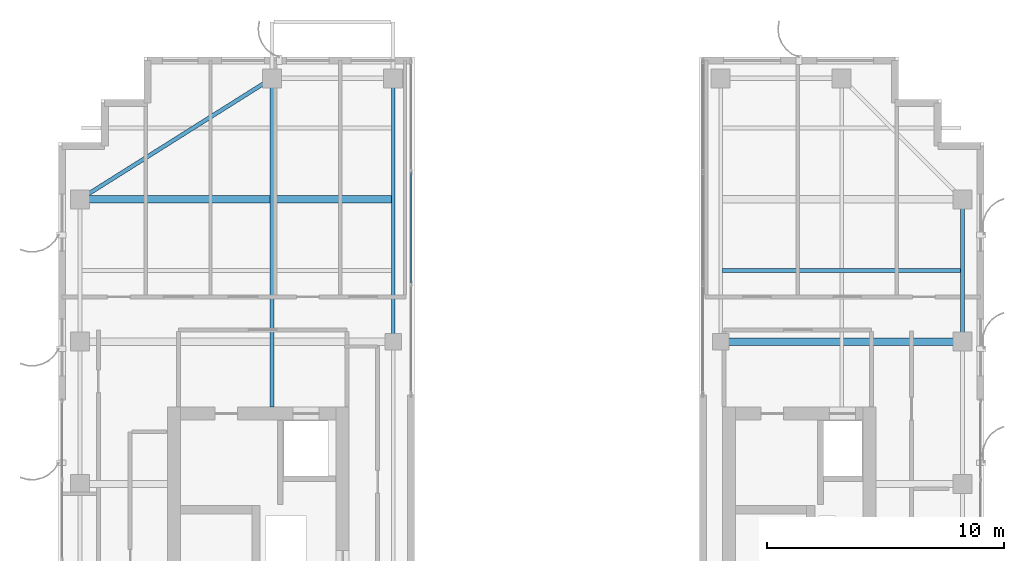
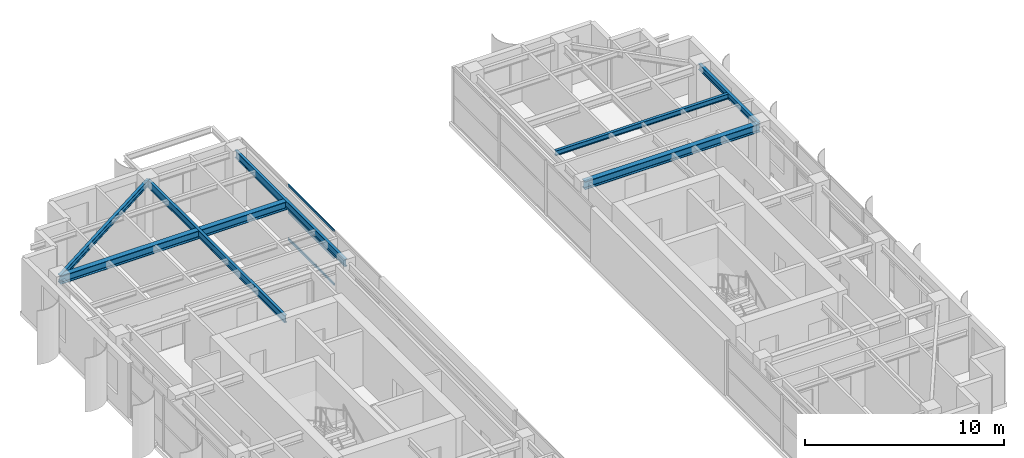
# One storey, part 13 of 22: 7 beams, 3 members, 1 element without a shape of its own.
"""IFC4 building model written with IfcOpenShell, lengths in metres."""

from ifc_helpers import new_model, si_unit, direction, frame, origin, origin_2d, place, context, subcontext, project, spatial, hollow_rectangle, i_section, extrude, source, transform, mapped, material, layer, layer_set, material_profile, profile_set, type_object, element, aggregate, save


model = new_model("IFC4")

# Units and contexts
model_context = context("Model", 3, precision=1e-05, world=origin(), true_north=direction((0.0, 1.0)))
body_context = subcontext(model_context, "Body", "Model", "MODEL_VIEW")
ifc_project = project(units=[si_unit("LENGTHUNIT", "METRE"), si_unit("AREAUNIT", "SQUARE_METRE"), si_unit("VOLUMEUNIT", "CUBIC_METRE"), si_unit("PLANEANGLEUNIT", "RADIAN"), si_unit("MASSUNIT", "GRAM", prefix="KILO")], contexts=[model_context])

# Site, building, storey
site_placement = place(None, origin())
site = spatial("IfcSite", under=ifc_project, at=site_placement, CompositionType="ELEMENT")
building_placement = place(site_placement, origin())
building = spatial("IfcBuilding", under=site, at=building_placement, Name="Khoralis Quay Care Tower", CompositionType="ELEMENT")
storey_placement = place(building_placement, frame((0.0, 0.0, 242.10009765625)))
storey = spatial("IfcBuildingStorey", under=building, at=storey_placement, Name="L63", CompositionType="ELEMENT", Elevation=242.10009765625)

# Beams
ifc_material_1 = material(Name="Steel S355", Category="steel")
ifc_material_profile_1 = material_profile(ifc_material_1, i_section(OverallWidth=0.169921875, OverallDepth=0.360107421875, WebThickness=0.008056640625, FlangeThickness=0.0126953125, FilletRadius=0.01806640625, at=origin_2d()), Name="Steel S355")
ifc_profile_set_1 = profile_set([ifc_material_profile_1], Name="Steel S355")
beam_type_1 = type_object("IfcBeamType", Name="BM-IPE360", PredefinedType="SPANDREL", material=ifc_profile_set_1)
shared_shape_1 = source(origin(), body_context, "Body", "SweptSolid", [
    extrude(i_section(OverallWidth=0.169921875, OverallDepth=0.360107421875, WebThickness=0.008056640625, FlangeThickness=0.0126953125, FilletRadius=0.01806640625, at=origin_2d()), origin(), (0.0, 0.0, 1.0), 6.0),
])
beam_1_placement = place(storey_placement, frame((41.10009765625, 30.0, 3.179931640625), z_axis=(0.0, 1.0, 0.0), x_axis=(-1.0, 0.0, 0.0)))
element("IfcBeam", 1, at=beam_1_placement, inside=storey, type_object=beam_type_1, Name="BM-TSP-L63-12", PredefinedType="SPANDREL", context=body_context, shape_type="MappedRepresentation", body=[
    mapped(shared_shape_1, transform((0.0, 0.0, 0.0), scale=1.0)),
])
shared_shape_2 = source(origin(), body_context, "Body", "SweptSolid", [
    extrude(i_section(OverallWidth=0.169921875, OverallDepth=0.360107421875, WebThickness=0.008056640625, FlangeThickness=0.0126953125, FilletRadius=0.01806640625, at=origin_2d()), origin(), (0.0, 0.0, 1.0), 9.572021484375),
])
beam_2_placement = place(storey_placement, frame((12.0, 41.10009765625, 3.179931640625), z_axis=(-0.846231136359, -0.532815975602, 0.0), x_axis=(0.532815975602, -0.846231136359, 0.0)))
element("IfcBeam", 2, at=beam_2_placement, inside=storey, type_object=beam_type_1, Name="BM-TCR-L63-15", PredefinedType="SPANDREL", context=body_context, shape_type="MappedRepresentation", body=[
    mapped(shared_shape_2, transform((0.0, 0.0, 0.0), scale=1.0)),
])
ifc_material_profile_2 = material_profile(ifc_material_1, i_section(OverallWidth=0.300048828125, OverallDepth=0.5, WebThickness=0.014404296875, FlangeThickness=0.028076171875, FilletRadius=0.027099609375, at=origin_2d()), Name="Steel S355")
ifc_profile_set_2 = profile_set([ifc_material_profile_2], Name="Steel S355")
beam_type_2 = type_object("IfcBeamType", Name="BM-HEB500", PredefinedType="BEAM", material=ifc_profile_set_2)
shared_shape_3 = source(origin(), body_context, "Body", "SweptSolid", [
    extrude(i_section(OverallWidth=0.300048828125, OverallDepth=0.5, WebThickness=0.014404296875, FlangeThickness=0.028076171875, FilletRadius=0.027099609375, at=origin_2d()), origin(), (0.0, 0.0, 1.0), 13.135009765625),
])
beam_3_placement = place(storey_placement, frame((3.89990234375, 36.0, 3.10986328125), z_axis=(1.0, 0.0, 0.0), x_axis=(0.0, 1.0, 0.0)))
element("IfcBeam", 3, at=beam_3_placement, inside=storey, type_object=beam_type_2, Name="BM-TGXW-L63-360", PredefinedType="BEAM", context=body_context, shape_type="MappedRepresentation", body=[
    mapped(shared_shape_3, transform((0.0, 0.0, 0.0), scale=1.0)),
])
ifc_material_profile_3 = material_profile(ifc_material_1, i_section(OverallWidth=0.154052734375, OverallDepth=0.458984375, WebThickness=0.009033203125, FlangeThickness=0.015380859375, FilletRadius=0.014892578125, at=origin_2d()), Name="Steel S355")
ifc_profile_set_3 = profile_set([ifc_material_profile_3], Name="Steel S355")
beam_type_3 = type_object("IfcBeamType", Name="BM-W460X68", PredefinedType="BEAM", material=ifc_profile_set_3)
shared_shape_4 = source(origin(), body_context, "Body", "SweptSolid", [
    extrude(i_section(OverallWidth=0.154052734375, OverallDepth=0.458984375, WebThickness=0.009033203125, FlangeThickness=0.015380859375, FilletRadius=0.014892578125, at=origin_2d()), origin(), (0.0, 0.0, 1.0), 11.10009765625),
])
beam_4_placement = place(storey_placement, frame((17.10009765625, 30.0, 3.13037109375), z_axis=(0.0, 1.0, 0.0), x_axis=(-1.0, 0.0, 0.0)))
element("IfcBeam", 4, at=beam_4_placement, inside=storey, type_object=beam_type_3, Name="BM-TGYN-L63-171", PredefinedType="BEAM", context=body_context, shape_type="MappedRepresentation", body=[
    mapped(shared_shape_4, transform((0.0, 0.0, 0.0), scale=1.0)),
])
shared_shape_5 = source(origin(), body_context, "Body", "SweptSolid", [
    extrude(i_section(OverallWidth=0.300048828125, OverallDepth=0.5, WebThickness=0.014404296875, FlangeThickness=0.028076171875, FilletRadius=0.027099609375, at=origin_2d()), origin(), (0.0, 0.0, 1.0), 10.2001953125),
])
beam_5_placement = place(storey_placement, frame((30.89990234375, 30.0, 3.10986328125), z_axis=(1.0, 0.0, 0.0), x_axis=(0.0, 1.0, 0.0)))
element("IfcBeam", 5, at=beam_5_placement, inside=storey, type_object=beam_type_2, Name="BM-TGXE-L63-300", PredefinedType="BEAM", context=body_context, shape_type="MappedRepresentation", body=[
    mapped(shared_shape_5, transform((0.0, 0.0, 0.0), scale=1.0)),
])
shared_shape_6 = source(origin(), body_context, "Body", "SweptSolid", [
    extrude(i_section(OverallWidth=0.154052734375, OverallDepth=0.458984375, WebThickness=0.009033203125, FlangeThickness=0.015380859375, FilletRadius=0.014892578125, at=origin_2d()), origin(), (0.0, 0.0, 1.0), 13.85205078125),
])
beam_6_placement = place(storey_placement, frame((12.0, 27.248046875, 3.13037109375), z_axis=(0.0, 1.0, 0.0), x_axis=(-1.0, 0.0, 0.0)))
element("IfcBeam", 6, at=beam_6_placement, inside=storey, type_object=beam_type_3, Name="BM-TGYN-L63-120", PredefinedType="BEAM", context=body_context, shape_type="MappedRepresentation", body=[
    mapped(shared_shape_6, transform((0.0, 0.0, 0.0), scale=1.0)),
])
ifc_material_profile_4 = material_profile(ifc_material_1, i_section(OverallWidth=0.1650390625, OverallDepth=0.31005859375, WebThickness=0.005859375, FlangeThickness=0.009765625, FilletRadius=0.011962890625, at=origin_2d()), Name="Steel S355")
ifc_profile_set_4 = profile_set([ifc_material_profile_4], Name="Steel S355")
beam_type_4 = type_object("IfcBeamType", Name="BM-W310X39", PredefinedType="JOIST", material=ifc_profile_set_4)
shared_shape_7 = source(origin(), body_context, "Body", "SweptSolid", [
    extrude(i_section(OverallWidth=0.1650390625, OverallDepth=0.31005859375, WebThickness=0.005859375, FlangeThickness=0.009765625, FilletRadius=0.011962890625, at=origin_2d()), origin(), (0.0, 0.0, 1.0), 10.06396484375),
])
beam_7_placement = place(storey_placement, frame((30.965087890625, 33.0, 3.204833984375), z_axis=(1.0, 0.0, 0.0), x_axis=(0.0, 1.0, 0.0)))
element("IfcBeam", 7, at=beam_7_placement, inside=storey, type_object=beam_type_4, Name="BM-TJS-L63-20", PredefinedType="JOIST", context=body_context, shape_type="MappedRepresentation", body=[
    mapped(shared_shape_7, transform((0.0, 0.0, 0.0), scale=1.0)),
])

# Curtain wall, members
ifc_material_2 = material(Name="Pale anodised aluminium", Category="aluminium")
ifc_layer = layer(ifc_material_2, 0.18994140625)
ifc_layer_set = layer_set([ifc_layer], Name="Pale anodised aluminium")
curtain_wall_type = type_object("IfcCurtainWallType", Name="CW-SYS-PORTAL", PredefinedType="NOTDEFINED", material=ifc_layer_set)
curtain_wall_placement = place(storey_placement, origin())
curtain_wall = element("IfcCurtainWall", 8, at=curtain_wall_placement, inside=storey, type_object=curtain_wall_type, Name="L63 Unitised Curtain Wall CW-VP-L63-P1-N", PredefinedType="NOTDEFINED")
ifc_material_profile_5 = material_profile(ifc_material_2, hollow_rectangle(XDim=0.06005859375, YDim=0.139892578125, WallThickness=0.00390625, at=origin_2d()), Name="Pale anodised aluminium")
ifc_profile_set_5 = profile_set([ifc_material_profile_5], Name="Pale anodised aluminium")
member_type = type_object("IfcMemberType", Name="CW-TRN-140", PredefinedType="USERDEFINED", material=ifc_profile_set_5)
shared_shape_8 = source(origin(), body_context, "Body", "SweptSolid", [
    extrude(hollow_rectangle(XDim=0.06005859375, YDim=0.139892578125, WallThickness=0.00390625, at=origin_2d()), origin(), (0.0, 0.0, 1.0), 4.64013671875),
])
member_1_placement = place(storey_placement, frame((17.85009765625, 32.47998046875, 0.02978515625), z_axis=(0.0, 1.0, 0.0), x_axis=(-1.0, 0.0, 0.0)))
member_1 = element("IfcMember", 9, at=member_1_placement, type_object=member_type, Name="CW4 transom 2.1", ObjectType="TRANSOM", PredefinedType="USERDEFINED", context=body_context, shape_type="MappedRepresentation", body=[
    mapped(shared_shape_8, transform((0.0, 0.0, 0.0), scale=1.0)),
])
member_2_placement = place(storey_placement, frame((17.85009765625, 32.47998046875, 1.679931640625), z_axis=(0.0, 1.0, 0.0), x_axis=(-1.0, 0.0, 0.0)))
member_2 = element("IfcMember", 10, at=member_2_placement, type_object=member_type, Name="CW4 transom 2.2", ObjectType="TRANSOM", PredefinedType="USERDEFINED", context=body_context, shape_type="MappedRepresentation", body=[
    mapped(shared_shape_8, transform((0.0, 0.0, 0.0), scale=1.0)),
])
member_3_placement = place(storey_placement, frame((17.85009765625, 32.47998046875, 3.329833984375), z_axis=(0.0, 1.0, 0.0), x_axis=(-1.0, 0.0, 0.0)))
member_3 = element("IfcMember", 11, at=member_3_placement, type_object=member_type, Name="CW4 transom 2.3", ObjectType="TRANSOM", PredefinedType="USERDEFINED", context=body_context, shape_type="MappedRepresentation", body=[
    mapped(shared_shape_8, transform((0.0, 0.0, 0.0), scale=1.0)),
])
aggregate(curtain_wall, [member_1, member_2, member_3])

save(model, "model.ifc")
